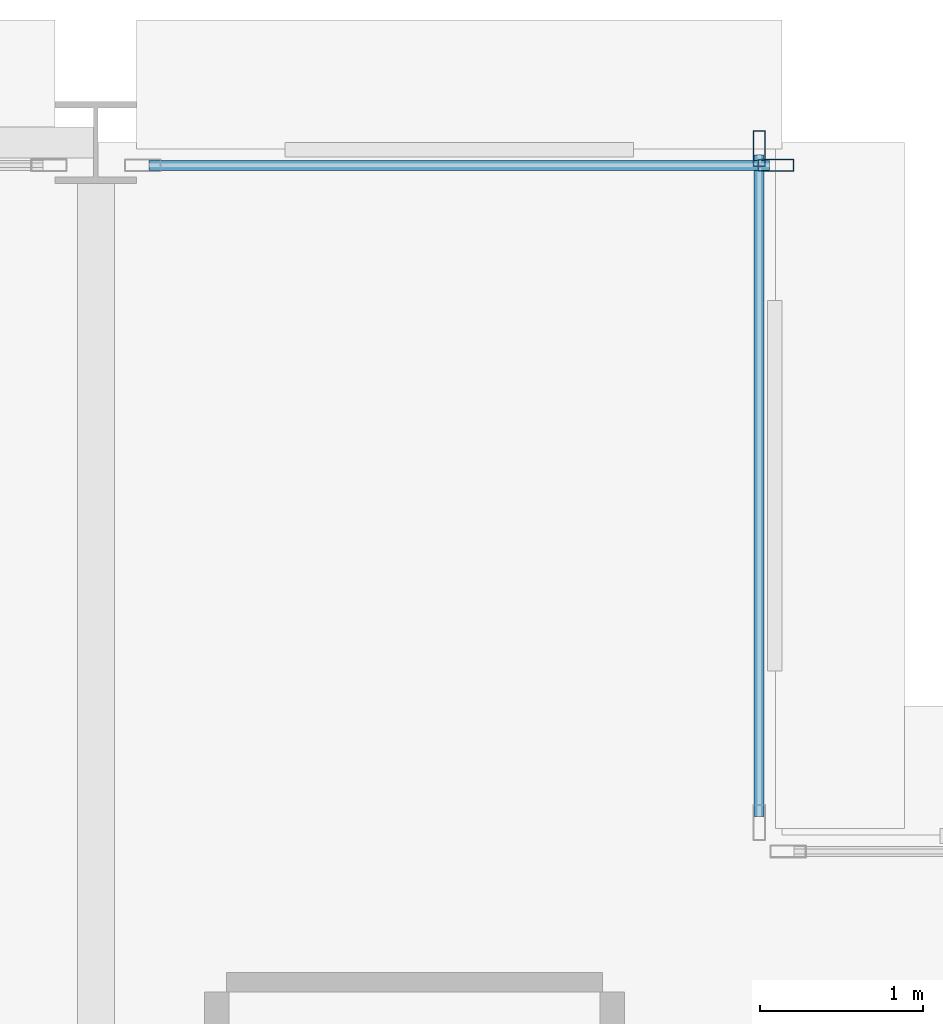
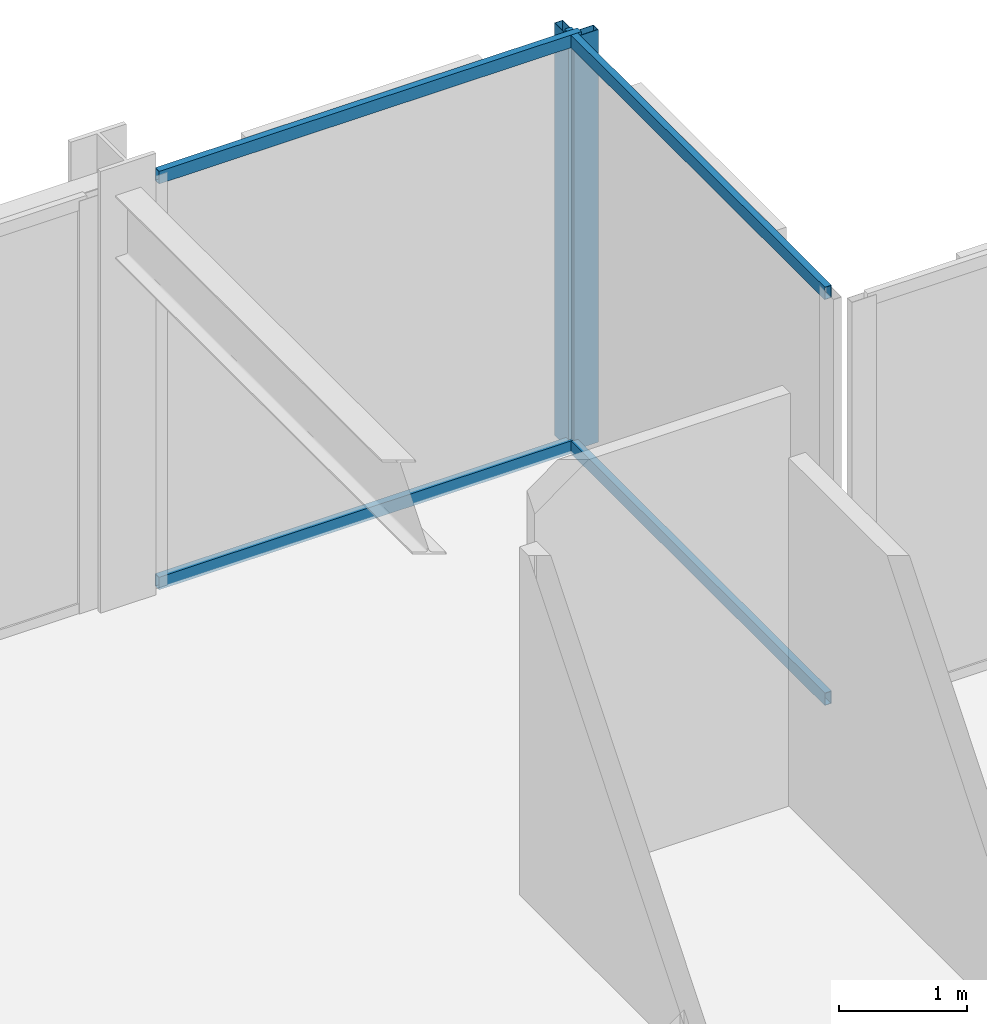
# One storey, part 18 of 25: 6 members, 2 elements without a shape of their own.
"""IFC4 building model written with IfcOpenShell, lengths in metres."""

from ifc_helpers import new_model, si_unit, direction, frame, origin, origin_2d, place, context, subcontext, project, spatial, hollow_rectangle, extrude, material, layer, layer_set, material_profile, profile_set, type_object, element, aggregate, save


model = new_model("IFC4")

# Units and contexts
model_context = context("Model", 3, precision=1e-05, world=origin(), true_north=direction((0.0, 1.0)))
body_context = subcontext(model_context, "Body", "Model", "MODEL_VIEW")
ifc_project = project(units=[si_unit("LENGTHUNIT", "METRE"), si_unit("AREAUNIT", "SQUARE_METRE"), si_unit("VOLUMEUNIT", "CUBIC_METRE"), si_unit("PLANEANGLEUNIT", "RADIAN"), si_unit("MASSUNIT", "GRAM", prefix="KILO")], contexts=[model_context])

# Site, building, storey
site_placement = place(None, origin())
site = spatial("IfcSite", under=ifc_project, at=site_placement, CompositionType="ELEMENT")
building_placement = place(site_placement, origin())
building = spatial("IfcBuilding", under=site, at=building_placement, Name="Nerrivon Quay Data Exchange", CompositionType="ELEMENT")
storey_placement = place(building_placement, frame((0.0, 0.0, 24.800048828125)))
storey = spatial("IfcBuildingStorey", under=building, at=storey_placement, Name="L05", CompositionType="ELEMENT", Elevation=24.800048828125)

# Curtain wall, member
ifc_material = material(Name="Anodised aluminium 6063-T6", Category="aluminium")
ifc_layer = layer(ifc_material, 0.219970703125)
ifc_layer_set = layer_set([ifc_layer], Name="Anodised aluminium 6063-T6")
curtain_wall_type = type_object("IfcCurtainWallType", Name="CW-SYS-01", PredefinedType="NOTDEFINED", material=ifc_layer_set)
curtain_wall_1_placement = place(storey_placement, origin())
curtain_wall_1 = element("IfcCurtainWall", 1, at=curtain_wall_1_placement, inside=storey, type_object=curtain_wall_type, Name="L05 Unitised Curtain Wall 22", PredefinedType="NOTDEFINED")
ifc_material_profile_1 = material_profile(ifc_material, hollow_rectangle(XDim=0.074951171875, YDim=0.219970703125, WallThickness=0.00390625, at=origin_2d()), Name="ALU-MULL-220x75")
ifc_profile_set_1 = profile_set([ifc_material_profile_1], Name="Anodised aluminium 6063-T6")
member_type_1 = type_object("IfcMemberType", Name="CWM-220x75", PredefinedType="MULLION", material=ifc_profile_set_1)
member_1_placement = place(storey_placement, frame((20.96240234375, 50.260009765625, 0.0), z_axis=(0.0, 0.0, 1.0), x_axis=(0.0, 1.0, 0.0)))
member_1 = element("IfcMember", 2, at=member_1_placement, type_object=member_type_1, Name="CW01 mullion 2", PredefinedType="MULLION", context=body_context, shape_type="SweptSolid", body=[
    extrude(hollow_rectangle(XDim=0.074951171875, YDim=0.219970703125, WallThickness=0.00390625, at=origin_2d()), origin(), (0.0, 0.0, 1.0), 3.925048828125),
])

curtain_wall_2_placement = place(storey_placement, origin())
curtain_wall_2 = element("IfcCurtainWall", 3, at=curtain_wall_2_placement, inside=storey, type_object=curtain_wall_type, Name="L05 Unitised Curtain Wall 23", PredefinedType="NOTDEFINED")
member_2_placement = place(storey_placement, frame((20.860107421875, 50.362548828125, 0.0), z_axis=(0.0, 0.0, 1.0), x_axis=(1.0, 0.0, 0.0)))
member_2 = element("IfcMember", 4, at=member_2_placement, type_object=member_type_1, Name="CW01 mullion 1", PredefinedType="MULLION", context=body_context, shape_type="SweptSolid", body=[
    extrude(hollow_rectangle(XDim=0.074951171875, YDim=0.219970703125, WallThickness=0.00390625, at=origin_2d()), origin(), (0.0, 0.0, 1.0), 3.925048828125),
])

# Member
ifc_material_profile_2 = material_profile(ifc_material, hollow_rectangle(XDim=0.06005859375, YDim=0.1201171875, WallThickness=0.003173828125, at=origin_2d()), Name="ALU-TRAN-120x60")
ifc_profile_set_2 = profile_set([ifc_material_profile_2], Name="Anodised aluminium 6063-T6")
member_type_2 = type_object("IfcMemberType", Name="CWT-120x60", PredefinedType="USERDEFINED", material=ifc_profile_set_2)
member_3_placement = place(storey_placement, frame((17.125, 50.260009765625, 0.032470703125), z_axis=(1.0, 0.0, 0.0), x_axis=(0.0, 1.0, 0.0)))
member_3 = element("IfcMember", 5, at=member_3_placement, type_object=member_type_2, Name="CW01 transom 1.1", ObjectType="TRANSOM", PredefinedType="USERDEFINED", context=body_context, shape_type="SweptSolid", body=[
    extrude(hollow_rectangle(XDim=0.06005859375, YDim=0.1201171875, WallThickness=0.003173828125, at=origin_2d()), origin(), (0.0, 0.0, 1.0), 3.800048828125),
])

member_4_placement = place(storey_placement, frame((17.125, 50.260009765625, 3.892333984375), z_axis=(1.0, 0.0, 0.0), x_axis=(0.0, 1.0, 0.0)))
member_4 = element("IfcMember", 6, at=member_4_placement, type_object=member_type_2, Name="CW01 transom 1.2", ObjectType="TRANSOM", PredefinedType="USERDEFINED", context=body_context, shape_type="SweptSolid", body=[
    extrude(hollow_rectangle(XDim=0.06005859375, YDim=0.1201171875, WallThickness=0.003173828125, at=origin_2d()), origin(), (0.0, 0.0, 1.0), 3.800048828125),
])

aggregate(curtain_wall_1, [member_1, member_3, member_4])

member_5_placement = place(storey_placement, frame((20.860107421875, 50.324951171875, 0.032470703125), z_axis=(0.0, -1.0, 0.0), x_axis=(1.0, 0.0, 0.0)))
member_5 = element("IfcMember", 7, at=member_5_placement, type_object=member_type_2, Name="CW01 transom 1.1", ObjectType="TRANSOM", PredefinedType="USERDEFINED", context=body_context, shape_type="SweptSolid", body=[
    extrude(hollow_rectangle(XDim=0.06005859375, YDim=0.1201171875, WallThickness=0.003173828125, at=origin_2d()), origin(), (0.0, 0.0, 1.0), 4.050048828125),
])

member_6_placement = place(storey_placement, frame((20.860107421875, 50.324951171875, 3.892333984375), z_axis=(0.0, -1.0, 0.0), x_axis=(1.0, 0.0, 0.0)))
member_6 = element("IfcMember", 8, at=member_6_placement, type_object=member_type_2, Name="CW01 transom 1.2", ObjectType="TRANSOM", PredefinedType="USERDEFINED", context=body_context, shape_type="SweptSolid", body=[
    extrude(hollow_rectangle(XDim=0.06005859375, YDim=0.1201171875, WallThickness=0.003173828125, at=origin_2d()), origin(), (0.0, 0.0, 1.0), 4.050048828125),
])

aggregate(curtain_wall_2, [member_2, member_5, member_6])

save(model, "model.ifc")
